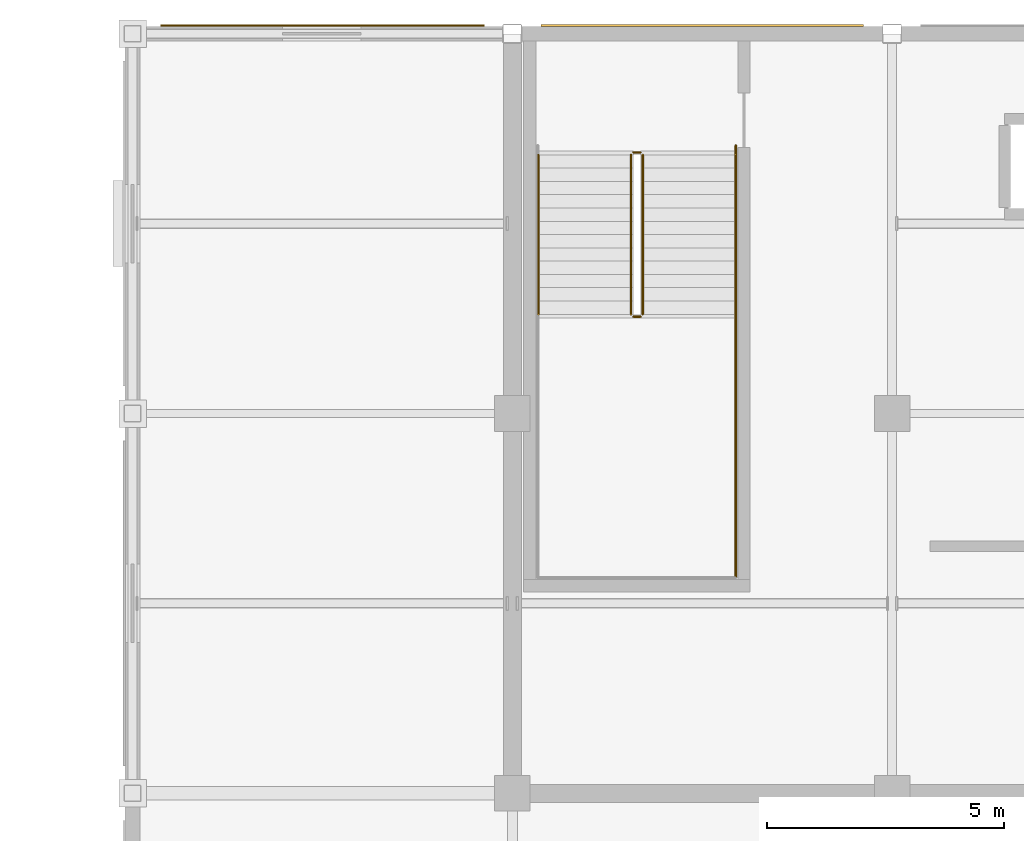
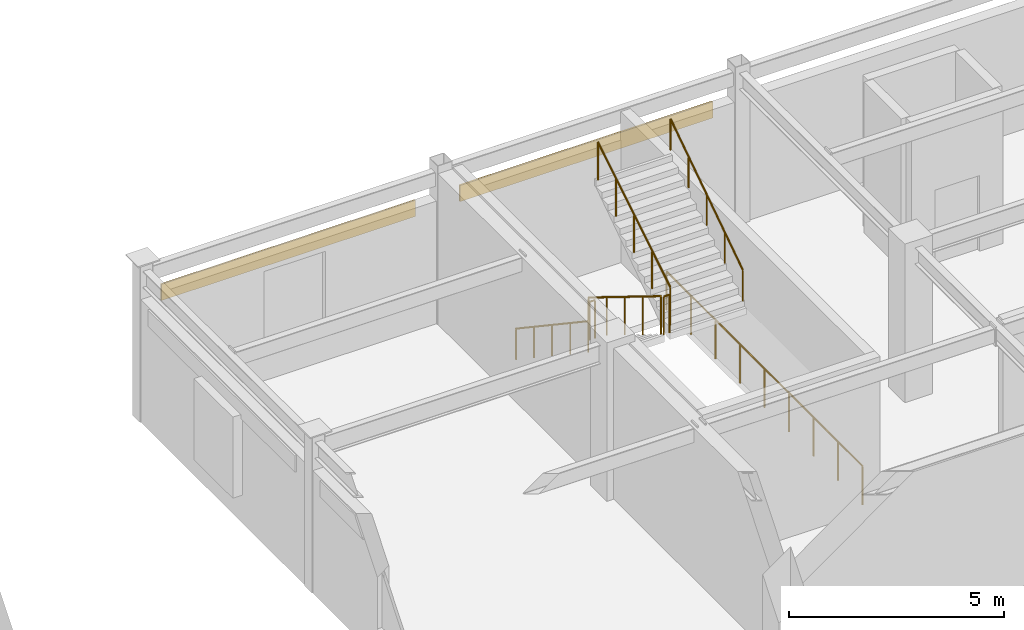
# One storey, part 90 of 93: 7 railings, 2 coverings.
"""IFC4 building model written with IfcOpenShell, lengths in metres."""

from ifc_helpers import new_model, si_unit, direction, frame, origin, origin_2d, place, context, subcontext, project, spatial, rectangle, circle, extrude, material, layer, layer_set, type_object, element, save


model = new_model("IFC4")

# Units and contexts
model_context = context("Model", 3, precision=1e-05, world=origin(), true_north=direction((0.0, 1.0)))
body_context = subcontext(model_context, "Body", "Model", "MODEL_VIEW")
ifc_project = project(units=[si_unit("LENGTHUNIT", "METRE"), si_unit("AREAUNIT", "SQUARE_METRE"), si_unit("VOLUMEUNIT", "CUBIC_METRE"), si_unit("PLANEANGLEUNIT", "RADIAN"), si_unit("MASSUNIT", "GRAM", prefix="KILO")], contexts=[model_context])

# Site, building, storey
site_placement = place(None, origin())
site = spatial("IfcSite", under=ifc_project, at=site_placement, CompositionType="ELEMENT")
building_placement = place(site_placement, origin())
building = spatial("IfcBuilding", under=site, at=building_placement, Name="Solmirada Galleria", CompositionType="ELEMENT")
storey_placement = place(building_placement, frame((0.0, 0.0, 14.89990234375)))
storey = spatial("IfcBuildingStorey", under=building, at=storey_placement, Name="L03", CompositionType="ELEMENT", Elevation=14.89990234375)

# Coverings
ifc_material_1 = material(Name="Limestone cladding panels", Category="masonry")
ifc_layer_1 = layer(ifc_material_1, 0.044921875)
ifc_layer_set_1 = layer_set([ifc_layer_1], Name="Limestone cladding panels")
covering_type_1 = type_object("IfcCoveringType", Name="COV-CLAD-LIME", PredefinedType="CLADDING", material=ifc_layer_set_1)
covering_1_placement = place(storey_placement, frame((132.0, 120.177490234375, 2.990234375), z_axis=(0.0, 0.0, 1.0), x_axis=(1.0, 0.0, 0.0)))
element("IfcCovering", 1, at=covering_1_placement, inside=storey, type_object=covering_type_1, Name="Postmodern facade cladding L03-246", PredefinedType="CLADDING", context=body_context, shape_type="SweptSolid", body=[
    extrude(rectangle(XDim=6.7939453125, YDim=0.044921875, at=origin_2d()), origin(), (0.0, 0.0, 1.0), 0.4599609375),
])
ifc_material_2 = material(Name="Glazed terracotta facade panels", Category="masonry")
ifc_layer_2 = layer(ifc_material_2, 0.0400390625)
ifc_layer_set_2 = layer_set([ifc_layer_2], Name="Glazed terracotta facade panels")
covering_type_2 = type_object("IfcCoveringType", Name="COV-CLAD-TERRA", PredefinedType="CLADDING", material=ifc_layer_set_2)
covering_2_placement = place(storey_placement, frame((124.0, 120.175048828125, 2.990234375), z_axis=(0.0, 0.0, 1.0), x_axis=(1.0, 0.0, 0.0)))
element("IfcCovering", 2, at=covering_2_placement, inside=storey, type_object=covering_type_2, Name="Postmodern facade cladding L03-245", PredefinedType="CLADDING", context=body_context, shape_type="SweptSolid", body=[
    extrude(rectangle(XDim=6.819091796875, YDim=0.0400390625, at=origin_2d()), origin(), (0.0, 0.0, 1.0), 0.4599609375),
])

# Railings
ifc_material_3 = material(Name="Painted steel tubular railing", Category="steel")
railing_type_1 = type_object("IfcRailingType", Name="RAIL-STAIR-GUARD", PredefinedType="GUARDRAIL", material=ifc_material_3)
railing_1_placement = place(storey_placement, frame((130.5, 117.449951171875, 0.173095703125)))
element("IfcRailing", 3, at=railing_1_placement, inside=storey, type_object=railing_type_1, Name="L03 ST3 stair guard 1", PredefinedType="GUARDRAIL", context=body_context, shape_type="SweptSolid", body=[
    extrude(circle(Radius=0.02392578125, at=origin_2d()), frame((0.0, 0.0, 1.076171875), z_axis=(0.0, -0.850606129759, 0.525803396734), x_axis=(1.0, 0.0, 0.0)), (0.0, 0.0, 1.0), 3.949951171875),
    extrude(circle(Radius=0.02099609375, at=origin_2d()), origin(), (0.0, 0.0, 1.0), 1.048095703125),
    extrude(circle(Radius=0.02099609375, at=origin_2d()), frame((0.0, -0.83984375, 0.519287109375)), (0.0, 0.0, 1.0), 1.048095703125),
    extrude(circle(Radius=0.02099609375, at=origin_2d()), frame((0.0, -1.679931640625, 1.03857421875)), (0.0, 0.0, 1.0), 1.048095703125),
    extrude(circle(Radius=0.02099609375, at=origin_2d()), frame((0.0, -2.52001953125, 1.5576171875)), (0.0, 0.0, 1.0), 1.048095703125),
    extrude(circle(Radius=0.02099609375, at=origin_2d()), frame((0.0, -3.35986328125, 2.076904296875)), (0.0, 0.0, 1.0), 1.048095703125),
])
railing_2_placement = place(storey_placement, frame((130.550048828125, 114.0400390625, 2.25)))
element("IfcRailing", 4, at=railing_2_placement, inside=storey, type_object=railing_type_1, Name="L03 ST3 stair guard 2", PredefinedType="GUARDRAIL", context=body_context, shape_type="SweptSolid", body=[
    extrude(circle(Radius=0.02392578125, at=origin_2d()), frame((0.0, 0.0, 1.076171875), z_axis=(1.0, 0.0, 0.0), x_axis=(0.0, 1.0, 0.0)), (0.0, 0.0, 1.0), 0.14990234375),
    extrude(circle(Radius=0.02099609375, at=origin_2d()), origin(), (0.0, 0.0, 1.0), 1.048095703125),
    extrude(circle(Radius=0.02099609375, at=origin_2d()), frame((0.14990234375, 0.0, 0.0)), (0.0, 0.0, 1.0), 1.048095703125),
])
railing_3_placement = place(storey_placement, frame((130.75, 114.090087890625, 2.423095703125)))
element("IfcRailing", 5, at=railing_3_placement, inside=storey, type_object=railing_type_1, Name="L03 ST3 stair guard 3", PredefinedType="GUARDRAIL", context=body_context, shape_type="SweptSolid", body=[
    extrude(circle(Radius=0.02392578125, at=origin_2d()), frame((0.0, 0.0, 1.076171875), z_axis=(0.0, 0.850606129759, 0.525803396734), x_axis=(-1.0, 0.0, 0.0)), (0.0, 0.0, 1.0), 3.949951171875),
    extrude(circle(Radius=0.02099609375, at=origin_2d()), origin(), (0.0, 0.0, 1.0), 1.048095703125),
    extrude(circle(Radius=0.02099609375, at=origin_2d()), frame((0.0, 0.83984375, 0.519287109375)), (0.0, 0.0, 1.0), 1.048095703125),
    extrude(circle(Radius=0.02099609375, at=origin_2d()), frame((0.0, 1.679931640625, 1.03857421875)), (0.0, 0.0, 1.0), 1.048095703125),
    extrude(circle(Radius=0.02099609375, at=origin_2d()), frame((0.0, 2.52001953125, 1.5576171875)), (0.0, 0.0, 1.0), 1.048095703125),
    extrude(circle(Radius=0.02099609375, at=origin_2d()), frame((0.0, 3.35986328125, 2.076904296875)), (0.0, 0.0, 1.0), 1.048095703125),
])
railing_4_placement = place(storey_placement, frame((130.550048828125, 117.5, 0.0)))
element("IfcRailing", 6, at=railing_4_placement, inside=storey, type_object=railing_type_1, Name="L03 ST3 stair guard 4", PredefinedType="GUARDRAIL", context=body_context, shape_type="SweptSolid", body=[
    extrude(circle(Radius=0.02392578125, at=origin_2d()), frame((0.0, 0.0, 1.076171875), z_axis=(1.0, 0.0, 0.0), x_axis=(0.0, 1.0, 0.0)), (0.0, 0.0, 1.0), 0.14990234375),
    extrude(circle(Radius=0.02099609375, at=origin_2d()), origin(), (0.0, 0.0, 1.0), 1.048095703125),
    extrude(circle(Radius=0.02099609375, at=origin_2d()), frame((0.14990234375, 0.0, 0.0)), (0.0, 0.0, 1.0), 1.048095703125),
])
railing_5_placement = place(storey_placement, frame((132.7099609375, 117.64990234375, 0.0)))
element("IfcRailing", 7, at=railing_5_placement, inside=storey, type_object=railing_type_1, Name="Stair ST3 well edge guard L03-1", PredefinedType="GUARDRAIL", context=body_context, shape_type="SweptSolid", body=[
    extrude(circle(Radius=0.02392578125, at=origin_2d()), frame((0.0, 0.0, 1.09619140625), z_axis=(0.0, -1.0, 0.0), x_axis=(1.0, 0.0, 0.0)), (0.0, 0.0, 1.0), 9.10986328125),
    extrude(circle(Radius=0.02099609375, at=origin_2d()), origin(), (0.0, 0.0, 1.0), 1.068115234375),
    extrude(circle(Radius=0.02099609375, at=origin_2d()), frame((0.0, -1.138671875, 0.0)), (0.0, 0.0, 1.0), 1.068115234375),
    extrude(circle(Radius=0.02099609375, at=origin_2d()), frame((0.0, -2.27734375, 0.0)), (0.0, 0.0, 1.0), 1.068115234375),
    extrude(circle(Radius=0.02099609375, at=origin_2d()), frame((0.0, -3.416259765625, 0.0)), (0.0, 0.0, 1.0), 1.068115234375),
    extrude(circle(Radius=0.02099609375, at=origin_2d()), frame((0.0, -4.554931640625, 0.0)), (0.0, 0.0, 1.0), 1.068115234375),
    extrude(circle(Radius=0.02099609375, at=origin_2d()), frame((0.0, -5.693603515625, 0.0)), (0.0, 0.0, 1.0), 1.068115234375),
    extrude(circle(Radius=0.02099609375, at=origin_2d()), frame((0.0, -6.83251953125, 0.0)), (0.0, 0.0, 1.0), 1.068115234375),
    extrude(circle(Radius=0.02099609375, at=origin_2d()), frame((0.0, -7.97119140625, 0.0)), (0.0, 0.0, 1.0), 1.068115234375),
    extrude(circle(Radius=0.02099609375, at=origin_2d()), frame((0.0, -9.10986328125, 0.0)), (0.0, 0.0, 1.0), 1.068115234375),
])
railing_type_2 = type_object("IfcRailingType", Name="RAIL-STAIR-HAND", PredefinedType="HANDRAIL", material=ifc_material_3)
railing_6_placement = place(storey_placement, frame((128.550048828125, 117.449951171875, 0.173095703125)))
element("IfcRailing", 8, at=railing_6_placement, inside=storey, type_object=railing_type_2, Name="L03 ST3 stair handrail 1", PredefinedType="HANDRAIL", context=body_context, shape_type="SweptSolid", body=[
    extrude(circle(Radius=0.02392578125, at=origin_2d()), frame((0.0, 0.0, 0.8759765625), z_axis=(0.0, -0.830896709279, 0.556426687452), x_axis=(1.0, 0.0, 0.0)), (0.0, 0.0, 1.0), 4.043701171875),
    extrude(circle(Radius=0.02099609375, at=origin_2d()), origin(), (0.0, 0.0, 1.0), 0.847900390625),
    extrude(circle(Radius=0.02099609375, at=origin_2d()), frame((0.0, -0.83984375, 0.5625)), (0.0, 0.0, 1.0), 0.847900390625),
    extrude(circle(Radius=0.02099609375, at=origin_2d()), frame((0.0, -1.679931640625, 1.125)), (0.0, 0.0, 1.0), 0.847900390625),
    extrude(circle(Radius=0.02099609375, at=origin_2d()), frame((0.0, -2.52001953125, 1.6875)), (0.0, 0.0, 1.0), 0.847900390625),
    extrude(circle(Radius=0.02099609375, at=origin_2d()), frame((0.0, -3.35986328125, 2.25)), (0.0, 0.0, 1.0), 0.847900390625),
])
railing_7_placement = place(storey_placement, frame((132.699951171875, 114.090087890625, 2.423095703125)))
element("IfcRailing", 9, at=railing_7_placement, inside=storey, type_object=railing_type_2, Name="L03 ST3 stair handrail 2", PredefinedType="HANDRAIL", context=body_context, shape_type="SweptSolid", body=[
    extrude(circle(Radius=0.02392578125, at=origin_2d()), frame((0.0, 0.0, 0.8759765625), z_axis=(0.0, 0.830896709279, 0.556426687452), x_axis=(-1.0, 0.0, 0.0)), (0.0, 0.0, 1.0), 4.043701171875),
    extrude(circle(Radius=0.02099609375, at=origin_2d()), origin(), (0.0, 0.0, 1.0), 0.847900390625),
    extrude(circle(Radius=0.02099609375, at=origin_2d()), frame((0.0, 0.83984375, 0.5625)), (0.0, 0.0, 1.0), 0.847900390625),
    extrude(circle(Radius=0.02099609375, at=origin_2d()), frame((0.0, 1.679931640625, 1.125)), (0.0, 0.0, 1.0), 0.847900390625),
    extrude(circle(Radius=0.02099609375, at=origin_2d()), frame((0.0, 2.52001953125, 1.6875)), (0.0, 0.0, 1.0), 0.847900390625),
    extrude(circle(Radius=0.02099609375, at=origin_2d()), frame((0.0, 3.35986328125, 2.25)), (0.0, 0.0, 1.0), 0.847900390625),
])

save(model, "model.ifc")
